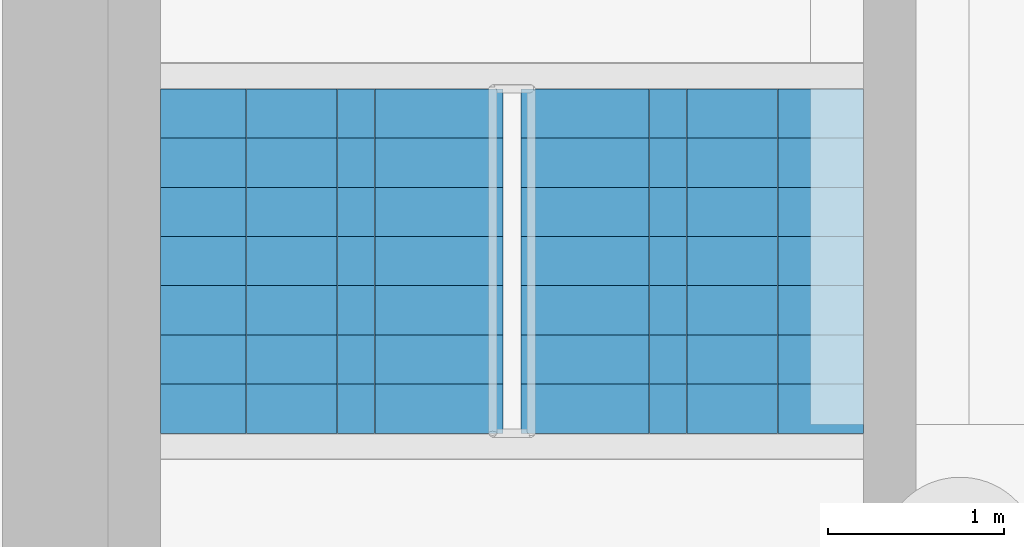
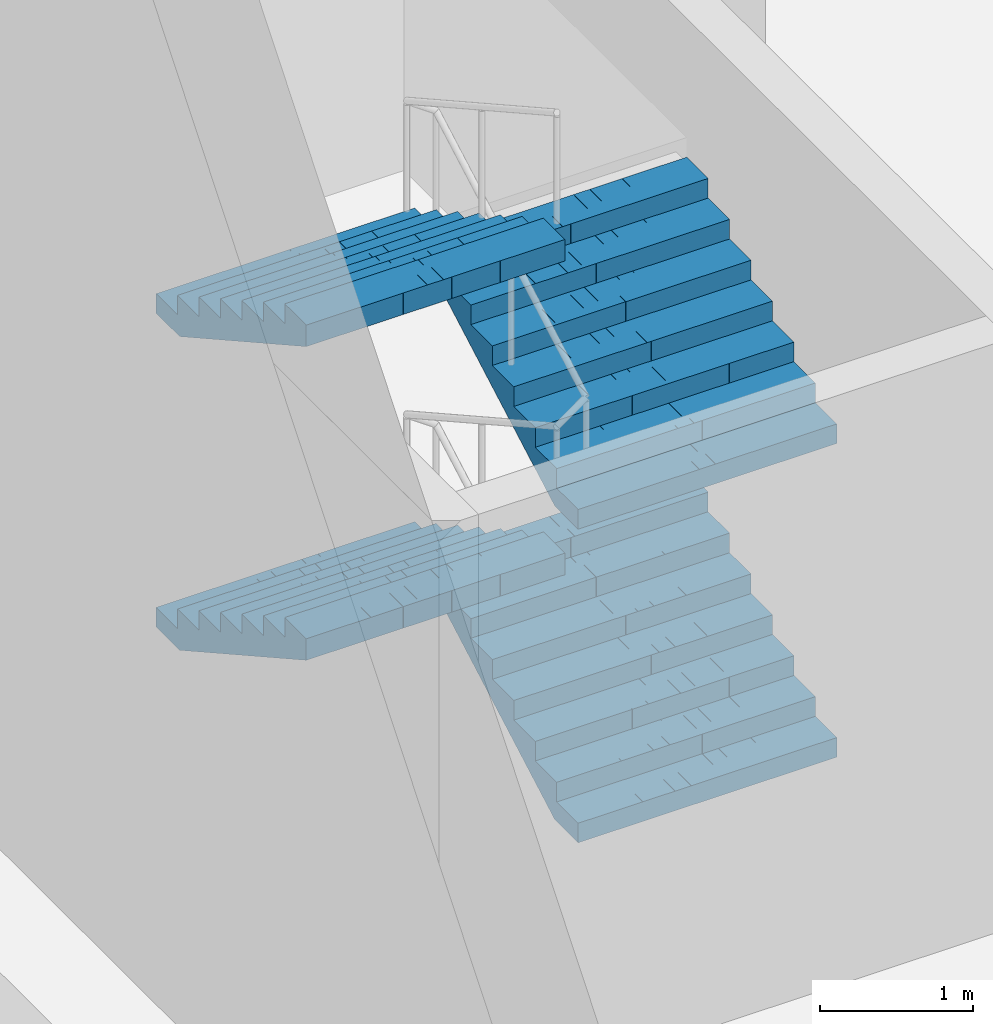
# One storey, part 16 of 31: 4 stair flights, 1 element without a shape of its own.
"""IFC4 building model written with IfcOpenShell, lengths in metres."""

from ifc_helpers import new_model, si_unit, direction, frame, origin, place, context, subcontext, project, spatial, polyline, outline, extrude, material, type_object, element, aggregate, save


model = new_model("IFC4")

# Units and contexts
model_context = context("Model", 3, precision=1e-05, world=origin(), true_north=direction((0.0, 1.0)))
body_context = subcontext(model_context, "Body", "Model", "MODEL_VIEW")
ifc_project = project(units=[si_unit("LENGTHUNIT", "METRE"), si_unit("AREAUNIT", "SQUARE_METRE"), si_unit("VOLUMEUNIT", "CUBIC_METRE"), si_unit("PLANEANGLEUNIT", "RADIAN"), si_unit("MASSUNIT", "GRAM", prefix="KILO")], contexts=[model_context])

# Site, building, storey
site_placement = place(None, origin())
site = spatial("IfcSite", under=ifc_project, at=site_placement, CompositionType="ELEMENT")
building_placement = place(site_placement, origin())
building = spatial("IfcBuilding", under=site, at=building_placement, Name="Mizan Broadcast Tower", CompositionType="ELEMENT")
storey_placement = place(building_placement, frame((0.0, 0.0, -10.0)))
storey = spatial("IfcBuildingStorey", under=building, at=storey_placement, Name="B2", CompositionType="ELEMENT", Elevation=-10.0)

# Stair, stair flights
ifc_material_1 = material(Name="Concrete C40/50", Category="concrete")
stair_type = type_object("IfcStairType", Name="EXIT STAIR", PredefinedType="HALF_TURN_STAIR", material=ifc_material_1)
stair_placement = place(storey_placement, origin())
stair = element("IfcStair", 1, at=stair_placement, inside=storey, type_object=stair_type, Name="Stair G B2", PredefinedType="HALF_TURN_STAIR")
ifc_material_2 = material(Name="Concrete C40/50", Category="concrete")
stair_flight_type = type_object("IfcStairFlightType", Name="EXIT STAIR FLIGHT", PredefinedType="STRAIGHT", material=ifc_material_2)
stair_flight_1_placement = place(storey_placement, frame((-44.875, -39.949951171875, 0.0), z_axis=(0.0, 0.0, 1.0), x_axis=(0.0, 1.0, 0.0)))
stair_flight_1 = element("IfcStairFlight", 2, at=stair_flight_1_placement, type_object=stair_flight_type, Name="G flight 1", NumberOfRisers=8, NumberOfTreads=7, PredefinedType="STRAIGHT", RiserHeight=0.15625, TreadLength=0.28, context=body_context, shape_type="SweptSolid", body=[
    extrude(outline(polyline([(0.0, 0.0), (0.0, 0.15625), (0.280029296875, 0.15625), (0.280029296875, 0.3125), (0.56005859375, 0.3125), (0.56005859375, 0.46875), (0.840087890625, 0.46875), (0.840087890625, 0.625), (1.1201171875, 0.625), (1.1201171875, 0.78125), (1.39990234375, 0.78125), (1.39990234375, 0.9375), (1.679931640625, 0.9375), (1.679931640625, 1.09375), (1.9599609375, 1.09375), (1.9599609375, 1.25), (1.9599609375, 0.922119140625), (0.3076171875, 0.0), (0.0, 0.0)])), frame((0.0, 0.97509765625, 0.0), z_axis=(0.0, -1.0, 0.0), x_axis=(1.0, 0.0, 0.0)), (0.0, 0.0, 1.0), 0.4873046875),
    extrude(outline(polyline([(0.0, 0.0), (0.0, 0.15625), (0.280029296875, 0.15625), (0.280029296875, 0.3125), (0.56005859375, 0.3125), (0.56005859375, 0.46875), (0.840087890625, 0.46875), (0.840087890625, 0.625), (1.1201171875, 0.625), (1.1201171875, 0.78125), (1.39990234375, 0.78125), (1.39990234375, 0.9375), (1.679931640625, 0.9375), (1.679931640625, 1.09375), (1.9599609375, 1.09375), (1.9599609375, 1.25), (1.9599609375, 0.922119140625), (0.3076171875, 0.0), (0.0, 0.0)])), frame((0.0, 0.4873046875, 0.0), z_axis=(0.0, -1.0, 0.0), x_axis=(1.0, 0.0, 0.0)), (0.0, 0.0, 1.0), 0.2431640625),
    extrude(outline(polyline([(0.0, 0.0), (0.0, 0.15625), (0.280029296875, 0.15625), (0.280029296875, 0.3125), (0.56005859375, 0.3125), (0.56005859375, 0.46875), (0.840087890625, 0.46875), (0.840087890625, 0.625), (1.1201171875, 0.625), (1.1201171875, 0.78125), (1.39990234375, 0.78125), (1.39990234375, 0.9375), (1.679931640625, 0.9375), (1.679931640625, 1.09375), (1.9599609375, 1.09375), (1.9599609375, 1.25), (1.9599609375, 0.922119140625), (0.3076171875, 0.0), (0.0, 0.0)])), frame((0.0, 0.24365234375, 0.0), z_axis=(0.0, -1.0, 0.0), x_axis=(1.0, 0.0, 0.0)), (0.0, 0.0, 1.0), 0.121337890625),
    extrude(outline(polyline([(0.0, 0.0), (0.0, 0.15625), (0.280029296875, 0.15625), (0.280029296875, 0.3125), (0.56005859375, 0.3125), (0.56005859375, 0.46875), (0.840087890625, 0.46875), (0.840087890625, 0.625), (1.1201171875, 0.625), (1.1201171875, 0.78125), (1.39990234375, 0.78125), (1.39990234375, 0.9375), (1.679931640625, 0.9375), (1.679931640625, 1.09375), (1.9599609375, 1.09375), (1.9599609375, 1.25), (1.9599609375, 0.922119140625), (0.3076171875, 0.0), (0.0, 0.0)])), frame((0.0, 0.121826171875, 0.0), z_axis=(0.0, -1.0, 0.0), x_axis=(1.0, 0.0, 0.0)), (0.0, 0.0, 1.0), 0.060546875),
    extrude(outline(polyline([(0.0, 0.0), (0.0, 0.15625), (0.280029296875, 0.15625), (0.280029296875, 0.3125), (0.56005859375, 0.3125), (0.56005859375, 0.46875), (0.840087890625, 0.46875), (0.840087890625, 0.625), (1.1201171875, 0.625), (1.1201171875, 0.78125), (1.39990234375, 0.78125), (1.39990234375, 0.9375), (1.679931640625, 0.9375), (1.679931640625, 1.09375), (1.9599609375, 1.09375), (1.9599609375, 1.25), (1.9599609375, 0.922119140625), (0.3076171875, 0.0), (0.0, 0.0)])), frame((0.0, 0.060791015625, 0.0), z_axis=(0.0, -1.0, 0.0), x_axis=(1.0, 0.0, 0.0)), (0.0, 0.0, 1.0), 0.030029296875),
    extrude(outline(polyline([(0.0, 0.0), (0.0, 0.15625), (0.280029296875, 0.15625), (0.280029296875, 0.3125), (0.56005859375, 0.3125), (0.56005859375, 0.46875), (0.840087890625, 0.46875), (0.840087890625, 0.625), (1.1201171875, 0.625), (1.1201171875, 0.78125), (1.39990234375, 0.78125), (1.39990234375, 0.9375), (1.679931640625, 0.9375), (1.679931640625, 1.09375), (1.9599609375, 1.09375), (1.9599609375, 1.25), (1.9599609375, 0.922119140625), (0.3076171875, 0.0), (0.0, 0.0)])), frame((0.0, 0.0302734375, 0.0), z_axis=(0.0, -1.0, 0.0), x_axis=(1.0, 0.0, 0.0)), (0.0, 0.0, 1.0), 0.060302734375),
    extrude(outline(polyline([(0.0, 0.0), (0.0, 0.15625), (0.280029296875, 0.15625), (0.280029296875, 0.3125), (0.56005859375, 0.3125), (0.56005859375, 0.46875), (0.840087890625, 0.46875), (0.840087890625, 0.625), (1.1201171875, 0.625), (1.1201171875, 0.78125), (1.39990234375, 0.78125), (1.39990234375, 0.9375), (1.679931640625, 0.9375), (1.679931640625, 1.09375), (1.9599609375, 1.09375), (1.9599609375, 1.25), (1.9599609375, 0.922119140625), (0.3076171875, 0.0), (0.0, 0.0)])), frame((0.0, -0.030517578125, 0.0), z_axis=(0.0, -1.0, 0.0), x_axis=(1.0, 0.0, 0.0)), (0.0, 0.0, 1.0), 0.030029296875),
    extrude(outline(polyline([(0.0, 0.0), (0.0, 0.15625), (0.280029296875, 0.15625), (0.280029296875, 0.3125), (0.56005859375, 0.3125), (0.56005859375, 0.46875), (0.840087890625, 0.46875), (0.840087890625, 0.625), (1.1201171875, 0.625), (1.1201171875, 0.78125), (1.39990234375, 0.78125), (1.39990234375, 0.9375), (1.679931640625, 0.9375), (1.679931640625, 1.09375), (1.9599609375, 1.09375), (1.9599609375, 1.25), (1.9599609375, 0.922119140625), (0.3076171875, 0.0), (0.0, 0.0)])), frame((0.0, -0.06103515625, 0.0), z_axis=(0.0, -1.0, 0.0), x_axis=(1.0, 0.0, 0.0)), (0.0, 0.0, 1.0), 0.060546875),
    extrude(outline(polyline([(0.0, 0.0), (0.0, 0.15625), (0.280029296875, 0.15625), (0.280029296875, 0.3125), (0.56005859375, 0.3125), (0.56005859375, 0.46875), (0.840087890625, 0.46875), (0.840087890625, 0.625), (1.1201171875, 0.625), (1.1201171875, 0.78125), (1.39990234375, 0.78125), (1.39990234375, 0.9375), (1.679931640625, 0.9375), (1.679931640625, 1.09375), (1.9599609375, 1.09375), (1.9599609375, 1.25), (1.9599609375, 0.922119140625), (0.3076171875, 0.0), (0.0, 0.0)])), frame((0.0, -0.1220703125, 0.0), z_axis=(0.0, -1.0, 0.0), x_axis=(1.0, 0.0, 0.0)), (0.0, 0.0, 1.0), 0.121337890625),
    extrude(outline(polyline([(0.0, 0.0), (0.0, 0.15625), (0.280029296875, 0.15625), (0.280029296875, 0.3125), (0.56005859375, 0.3125), (0.56005859375, 0.46875), (0.840087890625, 0.46875), (0.840087890625, 0.625), (1.1201171875, 0.625), (1.1201171875, 0.78125), (1.39990234375, 0.78125), (1.39990234375, 0.9375), (1.679931640625, 0.9375), (1.679931640625, 1.09375), (1.9599609375, 1.09375), (1.9599609375, 1.25), (1.9599609375, 0.922119140625), (0.3076171875, 0.0), (0.0, 0.0)])), frame((0.0, -0.243896484375, 0.0), z_axis=(0.0, -1.0, 0.0), x_axis=(1.0, 0.0, 0.0)), (0.0, 0.0, 1.0), 0.2431640625),
    extrude(outline(polyline([(0.0, 0.0), (0.0, 0.15625), (0.280029296875, 0.15625), (0.280029296875, 0.3125), (0.56005859375, 0.3125), (0.56005859375, 0.46875), (0.840087890625, 0.46875), (0.840087890625, 0.625), (1.1201171875, 0.625), (1.1201171875, 0.78125), (1.39990234375, 0.78125), (1.39990234375, 0.9375), (1.679931640625, 0.9375), (1.679931640625, 1.09375), (1.9599609375, 1.09375), (1.9599609375, 1.25), (1.9599609375, 0.922119140625), (0.3076171875, 0.0), (0.0, 0.0)])), frame((0.0, -0.487548828125, 0.0), z_axis=(0.0, -1.0, 0.0), x_axis=(1.0, 0.0, 0.0)), (0.0, 0.0, 1.0), 0.4873046875),
])
stair_flight_2_placement = place(storey_placement, frame((-46.925048828125, -37.989990234375, 1.25), z_axis=(0.0, 0.0, 1.0), x_axis=(0.0, -1.0, 0.0)))
stair_flight_2 = element("IfcStairFlight", 3, at=stair_flight_2_placement, type_object=stair_flight_type, Name="G flight 2", NumberOfRisers=8, NumberOfTreads=7, PredefinedType="STRAIGHT", RiserHeight=0.15625, TreadLength=0.28, context=body_context, shape_type="SweptSolid", body=[
    extrude(outline(polyline([(0.0, 0.0), (0.0, 0.15625), (0.280029296875, 0.15625), (0.280029296875, 0.3125), (0.56005859375, 0.3125), (0.56005859375, 0.46875), (0.840087890625, 0.46875), (0.840087890625, 0.625), (1.1201171875, 0.625), (1.1201171875, 0.78125), (1.39990234375, 0.78125), (1.39990234375, 0.9375), (1.679931640625, 0.9375), (1.679931640625, 1.09375), (1.9599609375, 1.09375), (1.9599609375, 1.25), (1.9599609375, 0.922119140625), (0.3076171875, 0.0), (0.0, 0.0)])), frame((0.0, 0.97509765625, 0.0), z_axis=(0.0, -1.0, 0.0), x_axis=(1.0, 0.0, 0.0)), (0.0, 0.0, 1.0), 0.4873046875),
    extrude(outline(polyline([(0.0, 0.0), (0.0, 0.15625), (0.280029296875, 0.15625), (0.280029296875, 0.3125), (0.56005859375, 0.3125), (0.56005859375, 0.46875), (0.840087890625, 0.46875), (0.840087890625, 0.625), (1.1201171875, 0.625), (1.1201171875, 0.78125), (1.39990234375, 0.78125), (1.39990234375, 0.9375), (1.679931640625, 0.9375), (1.679931640625, 1.09375), (1.9599609375, 1.09375), (1.9599609375, 1.25), (1.9599609375, 0.922119140625), (0.3076171875, 0.0), (0.0, 0.0)])), frame((0.0, 0.4873046875, 0.0), z_axis=(0.0, -1.0, 0.0), x_axis=(1.0, 0.0, 0.0)), (0.0, 0.0, 1.0), 0.2431640625),
    extrude(outline(polyline([(0.0, 0.0), (0.0, 0.15625), (0.280029296875, 0.15625), (0.280029296875, 0.3125), (0.56005859375, 0.3125), (0.56005859375, 0.46875), (0.840087890625, 0.46875), (0.840087890625, 0.625), (1.1201171875, 0.625), (1.1201171875, 0.78125), (1.39990234375, 0.78125), (1.39990234375, 0.9375), (1.679931640625, 0.9375), (1.679931640625, 1.09375), (1.9599609375, 1.09375), (1.9599609375, 1.25), (1.9599609375, 0.922119140625), (0.3076171875, 0.0), (0.0, 0.0)])), frame((0.0, 0.24365234375, 0.0), z_axis=(0.0, -1.0, 0.0), x_axis=(1.0, 0.0, 0.0)), (0.0, 0.0, 1.0), 0.121337890625),
    extrude(outline(polyline([(0.0, 0.0), (0.0, 0.15625), (0.280029296875, 0.15625), (0.280029296875, 0.3125), (0.56005859375, 0.3125), (0.56005859375, 0.46875), (0.840087890625, 0.46875), (0.840087890625, 0.625), (1.1201171875, 0.625), (1.1201171875, 0.78125), (1.39990234375, 0.78125), (1.39990234375, 0.9375), (1.679931640625, 0.9375), (1.679931640625, 1.09375), (1.9599609375, 1.09375), (1.9599609375, 1.25), (1.9599609375, 0.922119140625), (0.3076171875, 0.0), (0.0, 0.0)])), frame((0.0, 0.121826171875, 0.0), z_axis=(0.0, -1.0, 0.0), x_axis=(1.0, 0.0, 0.0)), (0.0, 0.0, 1.0), 0.060546875),
    extrude(outline(polyline([(0.0, 0.0), (0.0, 0.15625), (0.280029296875, 0.15625), (0.280029296875, 0.3125), (0.56005859375, 0.3125), (0.56005859375, 0.46875), (0.840087890625, 0.46875), (0.840087890625, 0.625), (1.1201171875, 0.625), (1.1201171875, 0.78125), (1.39990234375, 0.78125), (1.39990234375, 0.9375), (1.679931640625, 0.9375), (1.679931640625, 1.09375), (1.9599609375, 1.09375), (1.9599609375, 1.25), (1.9599609375, 0.922119140625), (0.3076171875, 0.0), (0.0, 0.0)])), frame((0.0, 0.060791015625, 0.0), z_axis=(0.0, -1.0, 0.0), x_axis=(1.0, 0.0, 0.0)), (0.0, 0.0, 1.0), 0.030029296875),
    extrude(outline(polyline([(0.0, 0.0), (0.0, 0.15625), (0.280029296875, 0.15625), (0.280029296875, 0.3125), (0.56005859375, 0.3125), (0.56005859375, 0.46875), (0.840087890625, 0.46875), (0.840087890625, 0.625), (1.1201171875, 0.625), (1.1201171875, 0.78125), (1.39990234375, 0.78125), (1.39990234375, 0.9375), (1.679931640625, 0.9375), (1.679931640625, 1.09375), (1.9599609375, 1.09375), (1.9599609375, 1.25), (1.9599609375, 0.922119140625), (0.3076171875, 0.0), (0.0, 0.0)])), frame((0.0, 0.0302734375, 0.0), z_axis=(0.0, -1.0, 0.0), x_axis=(1.0, 0.0, 0.0)), (0.0, 0.0, 1.0), 0.060302734375),
    extrude(outline(polyline([(0.0, 0.0), (0.0, 0.15625), (0.280029296875, 0.15625), (0.280029296875, 0.3125), (0.56005859375, 0.3125), (0.56005859375, 0.46875), (0.840087890625, 0.46875), (0.840087890625, 0.625), (1.1201171875, 0.625), (1.1201171875, 0.78125), (1.39990234375, 0.78125), (1.39990234375, 0.9375), (1.679931640625, 0.9375), (1.679931640625, 1.09375), (1.9599609375, 1.09375), (1.9599609375, 1.25), (1.9599609375, 0.922119140625), (0.3076171875, 0.0), (0.0, 0.0)])), frame((0.0, -0.030517578125, 0.0), z_axis=(0.0, -1.0, 0.0), x_axis=(1.0, 0.0, 0.0)), (0.0, 0.0, 1.0), 0.030029296875),
    extrude(outline(polyline([(0.0, 0.0), (0.0, 0.15625), (0.280029296875, 0.15625), (0.280029296875, 0.3125), (0.56005859375, 0.3125), (0.56005859375, 0.46875), (0.840087890625, 0.46875), (0.840087890625, 0.625), (1.1201171875, 0.625), (1.1201171875, 0.78125), (1.39990234375, 0.78125), (1.39990234375, 0.9375), (1.679931640625, 0.9375), (1.679931640625, 1.09375), (1.9599609375, 1.09375), (1.9599609375, 1.25), (1.9599609375, 0.922119140625), (0.3076171875, 0.0), (0.0, 0.0)])), frame((0.0, -0.06103515625, 0.0), z_axis=(0.0, -1.0, 0.0), x_axis=(1.0, 0.0, 0.0)), (0.0, 0.0, 1.0), 0.060546875),
    extrude(outline(polyline([(0.0, 0.0), (0.0, 0.15625), (0.280029296875, 0.15625), (0.280029296875, 0.3125), (0.56005859375, 0.3125), (0.56005859375, 0.46875), (0.840087890625, 0.46875), (0.840087890625, 0.625), (1.1201171875, 0.625), (1.1201171875, 0.78125), (1.39990234375, 0.78125), (1.39990234375, 0.9375), (1.679931640625, 0.9375), (1.679931640625, 1.09375), (1.9599609375, 1.09375), (1.9599609375, 1.25), (1.9599609375, 0.922119140625), (0.3076171875, 0.0), (0.0, 0.0)])), frame((0.0, -0.1220703125, 0.0), z_axis=(0.0, -1.0, 0.0), x_axis=(1.0, 0.0, 0.0)), (0.0, 0.0, 1.0), 0.121337890625),
    extrude(outline(polyline([(0.0, 0.0), (0.0, 0.15625), (0.280029296875, 0.15625), (0.280029296875, 0.3125), (0.56005859375, 0.3125), (0.56005859375, 0.46875), (0.840087890625, 0.46875), (0.840087890625, 0.625), (1.1201171875, 0.625), (1.1201171875, 0.78125), (1.39990234375, 0.78125), (1.39990234375, 0.9375), (1.679931640625, 0.9375), (1.679931640625, 1.09375), (1.9599609375, 1.09375), (1.9599609375, 1.25), (1.9599609375, 0.922119140625), (0.3076171875, 0.0), (0.0, 0.0)])), frame((0.0, -0.243896484375, 0.0), z_axis=(0.0, -1.0, 0.0), x_axis=(1.0, 0.0, 0.0)), (0.0, 0.0, 1.0), 0.2431640625),
    extrude(outline(polyline([(0.0, 0.0), (0.0, 0.15625), (0.280029296875, 0.15625), (0.280029296875, 0.3125), (0.56005859375, 0.3125), (0.56005859375, 0.46875), (0.840087890625, 0.46875), (0.840087890625, 0.625), (1.1201171875, 0.625), (1.1201171875, 0.78125), (1.39990234375, 0.78125), (1.39990234375, 0.9375), (1.679931640625, 0.9375), (1.679931640625, 1.09375), (1.9599609375, 1.09375), (1.9599609375, 1.25), (1.9599609375, 0.922119140625), (0.3076171875, 0.0), (0.0, 0.0)])), frame((0.0, -0.487548828125, 0.0), z_axis=(0.0, -1.0, 0.0), x_axis=(1.0, 0.0, 0.0)), (0.0, 0.0, 1.0), 0.4873046875),
])
stair_flight_3_placement = place(storey_placement, frame((-44.875, -39.949951171875, 2.5), z_axis=(0.0, 0.0, 1.0), x_axis=(0.0, 1.0, 0.0)))
stair_flight_3 = element("IfcStairFlight", 4, at=stair_flight_3_placement, type_object=stair_flight_type, Name="G flight 3", NumberOfRisers=8, NumberOfTreads=7, PredefinedType="STRAIGHT", RiserHeight=0.15625, TreadLength=0.28, context=body_context, shape_type="SweptSolid", body=[
    extrude(outline(polyline([(0.0, 0.0), (0.0, 0.15625), (0.280029296875, 0.15625), (0.280029296875, 0.3125), (0.56005859375, 0.3125), (0.56005859375, 0.46875), (0.840087890625, 0.46875), (0.840087890625, 0.625), (1.1201171875, 0.625), (1.1201171875, 0.78125), (1.39990234375, 0.78125), (1.39990234375, 0.9375), (1.679931640625, 0.9375), (1.679931640625, 1.09375), (1.9599609375, 1.09375), (1.9599609375, 1.25), (1.9599609375, 0.922119140625), (0.3076171875, 0.0), (0.0, 0.0)])), frame((0.0, 0.97509765625, 0.0), z_axis=(0.0, -1.0, 0.0), x_axis=(1.0, 0.0, 0.0)), (0.0, 0.0, 1.0), 0.4873046875),
    extrude(outline(polyline([(0.0, 0.0), (0.0, 0.15625), (0.280029296875, 0.15625), (0.280029296875, 0.3125), (0.56005859375, 0.3125), (0.56005859375, 0.46875), (0.840087890625, 0.46875), (0.840087890625, 0.625), (1.1201171875, 0.625), (1.1201171875, 0.78125), (1.39990234375, 0.78125), (1.39990234375, 0.9375), (1.679931640625, 0.9375), (1.679931640625, 1.09375), (1.9599609375, 1.09375), (1.9599609375, 1.25), (1.9599609375, 0.922119140625), (0.3076171875, 0.0), (0.0, 0.0)])), frame((0.0, 0.4873046875, 0.0), z_axis=(0.0, -1.0, 0.0), x_axis=(1.0, 0.0, 0.0)), (0.0, 0.0, 1.0), 0.2431640625),
    extrude(outline(polyline([(0.0, 0.0), (0.0, 0.15625), (0.280029296875, 0.15625), (0.280029296875, 0.3125), (0.56005859375, 0.3125), (0.56005859375, 0.46875), (0.840087890625, 0.46875), (0.840087890625, 0.625), (1.1201171875, 0.625), (1.1201171875, 0.78125), (1.39990234375, 0.78125), (1.39990234375, 0.9375), (1.679931640625, 0.9375), (1.679931640625, 1.09375), (1.9599609375, 1.09375), (1.9599609375, 1.25), (1.9599609375, 0.922119140625), (0.3076171875, 0.0), (0.0, 0.0)])), frame((0.0, 0.24365234375, 0.0), z_axis=(0.0, -1.0, 0.0), x_axis=(1.0, 0.0, 0.0)), (0.0, 0.0, 1.0), 0.121337890625),
    extrude(outline(polyline([(0.0, 0.0), (0.0, 0.15625), (0.280029296875, 0.15625), (0.280029296875, 0.3125), (0.56005859375, 0.3125), (0.56005859375, 0.46875), (0.840087890625, 0.46875), (0.840087890625, 0.625), (1.1201171875, 0.625), (1.1201171875, 0.78125), (1.39990234375, 0.78125), (1.39990234375, 0.9375), (1.679931640625, 0.9375), (1.679931640625, 1.09375), (1.9599609375, 1.09375), (1.9599609375, 1.25), (1.9599609375, 0.922119140625), (0.3076171875, 0.0), (0.0, 0.0)])), frame((0.0, 0.121826171875, 0.0), z_axis=(0.0, -1.0, 0.0), x_axis=(1.0, 0.0, 0.0)), (0.0, 0.0, 1.0), 0.060546875),
    extrude(outline(polyline([(0.0, 0.0), (0.0, 0.15625), (0.280029296875, 0.15625), (0.280029296875, 0.3125), (0.56005859375, 0.3125), (0.56005859375, 0.46875), (0.840087890625, 0.46875), (0.840087890625, 0.625), (1.1201171875, 0.625), (1.1201171875, 0.78125), (1.39990234375, 0.78125), (1.39990234375, 0.9375), (1.679931640625, 0.9375), (1.679931640625, 1.09375), (1.9599609375, 1.09375), (1.9599609375, 1.25), (1.9599609375, 0.922119140625), (0.3076171875, 0.0), (0.0, 0.0)])), frame((0.0, 0.060791015625, 0.0), z_axis=(0.0, -1.0, 0.0), x_axis=(1.0, 0.0, 0.0)), (0.0, 0.0, 1.0), 0.030029296875),
    extrude(outline(polyline([(0.0, 0.0), (0.0, 0.15625), (0.280029296875, 0.15625), (0.280029296875, 0.3125), (0.56005859375, 0.3125), (0.56005859375, 0.46875), (0.840087890625, 0.46875), (0.840087890625, 0.625), (1.1201171875, 0.625), (1.1201171875, 0.78125), (1.39990234375, 0.78125), (1.39990234375, 0.9375), (1.679931640625, 0.9375), (1.679931640625, 1.09375), (1.9599609375, 1.09375), (1.9599609375, 1.25), (1.9599609375, 0.922119140625), (0.3076171875, 0.0), (0.0, 0.0)])), frame((0.0, 0.0302734375, 0.0), z_axis=(0.0, -1.0, 0.0), x_axis=(1.0, 0.0, 0.0)), (0.0, 0.0, 1.0), 0.060302734375),
    extrude(outline(polyline([(0.0, 0.0), (0.0, 0.15625), (0.280029296875, 0.15625), (0.280029296875, 0.3125), (0.56005859375, 0.3125), (0.56005859375, 0.46875), (0.840087890625, 0.46875), (0.840087890625, 0.625), (1.1201171875, 0.625), (1.1201171875, 0.78125), (1.39990234375, 0.78125), (1.39990234375, 0.9375), (1.679931640625, 0.9375), (1.679931640625, 1.09375), (1.9599609375, 1.09375), (1.9599609375, 1.25), (1.9599609375, 0.922119140625), (0.3076171875, 0.0), (0.0, 0.0)])), frame((0.0, -0.030517578125, 0.0), z_axis=(0.0, -1.0, 0.0), x_axis=(1.0, 0.0, 0.0)), (0.0, 0.0, 1.0), 0.030029296875),
    extrude(outline(polyline([(0.0, 0.0), (0.0, 0.15625), (0.280029296875, 0.15625), (0.280029296875, 0.3125), (0.56005859375, 0.3125), (0.56005859375, 0.46875), (0.840087890625, 0.46875), (0.840087890625, 0.625), (1.1201171875, 0.625), (1.1201171875, 0.78125), (1.39990234375, 0.78125), (1.39990234375, 0.9375), (1.679931640625, 0.9375), (1.679931640625, 1.09375), (1.9599609375, 1.09375), (1.9599609375, 1.25), (1.9599609375, 0.922119140625), (0.3076171875, 0.0), (0.0, 0.0)])), frame((0.0, -0.06103515625, 0.0), z_axis=(0.0, -1.0, 0.0), x_axis=(1.0, 0.0, 0.0)), (0.0, 0.0, 1.0), 0.060546875),
    extrude(outline(polyline([(0.0, 0.0), (0.0, 0.15625), (0.280029296875, 0.15625), (0.280029296875, 0.3125), (0.56005859375, 0.3125), (0.56005859375, 0.46875), (0.840087890625, 0.46875), (0.840087890625, 0.625), (1.1201171875, 0.625), (1.1201171875, 0.78125), (1.39990234375, 0.78125), (1.39990234375, 0.9375), (1.679931640625, 0.9375), (1.679931640625, 1.09375), (1.9599609375, 1.09375), (1.9599609375, 1.25), (1.9599609375, 0.922119140625), (0.3076171875, 0.0), (0.0, 0.0)])), frame((0.0, -0.1220703125, 0.0), z_axis=(0.0, -1.0, 0.0), x_axis=(1.0, 0.0, 0.0)), (0.0, 0.0, 1.0), 0.121337890625),
    extrude(outline(polyline([(0.0, 0.0), (0.0, 0.15625), (0.280029296875, 0.15625), (0.280029296875, 0.3125), (0.56005859375, 0.3125), (0.56005859375, 0.46875), (0.840087890625, 0.46875), (0.840087890625, 0.625), (1.1201171875, 0.625), (1.1201171875, 0.78125), (1.39990234375, 0.78125), (1.39990234375, 0.9375), (1.679931640625, 0.9375), (1.679931640625, 1.09375), (1.9599609375, 1.09375), (1.9599609375, 1.25), (1.9599609375, 0.922119140625), (0.3076171875, 0.0), (0.0, 0.0)])), frame((0.0, -0.243896484375, 0.0), z_axis=(0.0, -1.0, 0.0), x_axis=(1.0, 0.0, 0.0)), (0.0, 0.0, 1.0), 0.2431640625),
    extrude(outline(polyline([(0.0, 0.0), (0.0, 0.15625), (0.280029296875, 0.15625), (0.280029296875, 0.3125), (0.56005859375, 0.3125), (0.56005859375, 0.46875), (0.840087890625, 0.46875), (0.840087890625, 0.625), (1.1201171875, 0.625), (1.1201171875, 0.78125), (1.39990234375, 0.78125), (1.39990234375, 0.9375), (1.679931640625, 0.9375), (1.679931640625, 1.09375), (1.9599609375, 1.09375), (1.9599609375, 1.25), (1.9599609375, 0.922119140625), (0.3076171875, 0.0), (0.0, 0.0)])), frame((0.0, -0.487548828125, 0.0), z_axis=(0.0, -1.0, 0.0), x_axis=(1.0, 0.0, 0.0)), (0.0, 0.0, 1.0), 0.4873046875),
])
stair_flight_4_placement = place(storey_placement, frame((-46.925048828125, -37.989990234375, 3.75), z_axis=(0.0, 0.0, 1.0), x_axis=(0.0, -1.0, 0.0)))
stair_flight_4 = element("IfcStairFlight", 5, at=stair_flight_4_placement, type_object=stair_flight_type, Name="G flight 4", NumberOfRisers=8, NumberOfTreads=7, PredefinedType="STRAIGHT", RiserHeight=0.15625, TreadLength=0.28, context=body_context, shape_type="SweptSolid", body=[
    extrude(outline(polyline([(0.0, 0.0), (0.0, 0.15625), (0.280029296875, 0.15625), (0.280029296875, 0.3125), (0.56005859375, 0.3125), (0.56005859375, 0.46875), (0.840087890625, 0.46875), (0.840087890625, 0.625), (1.1201171875, 0.625), (1.1201171875, 0.78125), (1.39990234375, 0.78125), (1.39990234375, 0.9375), (1.679931640625, 0.9375), (1.679931640625, 1.09375), (1.9599609375, 1.09375), (1.9599609375, 1.25), (1.9599609375, 0.922119140625), (0.3076171875, 0.0), (0.0, 0.0)])), frame((0.0, 0.97509765625, 0.0), z_axis=(0.0, -1.0, 0.0), x_axis=(1.0, 0.0, 0.0)), (0.0, 0.0, 1.0), 0.4873046875),
    extrude(outline(polyline([(0.0, 0.0), (0.0, 0.15625), (0.280029296875, 0.15625), (0.280029296875, 0.3125), (0.56005859375, 0.3125), (0.56005859375, 0.46875), (0.840087890625, 0.46875), (0.840087890625, 0.625), (1.1201171875, 0.625), (1.1201171875, 0.78125), (1.39990234375, 0.78125), (1.39990234375, 0.9375), (1.679931640625, 0.9375), (1.679931640625, 1.09375), (1.9599609375, 1.09375), (1.9599609375, 1.25), (1.9599609375, 0.922119140625), (0.3076171875, 0.0), (0.0, 0.0)])), frame((0.0, 0.4873046875, 0.0), z_axis=(0.0, -1.0, 0.0), x_axis=(1.0, 0.0, 0.0)), (0.0, 0.0, 1.0), 0.2431640625),
    extrude(outline(polyline([(0.0, 0.0), (0.0, 0.15625), (0.280029296875, 0.15625), (0.280029296875, 0.3125), (0.56005859375, 0.3125), (0.56005859375, 0.46875), (0.840087890625, 0.46875), (0.840087890625, 0.625), (1.1201171875, 0.625), (1.1201171875, 0.78125), (1.39990234375, 0.78125), (1.39990234375, 0.9375), (1.679931640625, 0.9375), (1.679931640625, 1.09375), (1.9599609375, 1.09375), (1.9599609375, 1.25), (1.9599609375, 0.922119140625), (0.3076171875, 0.0), (0.0, 0.0)])), frame((0.0, 0.24365234375, 0.0), z_axis=(0.0, -1.0, 0.0), x_axis=(1.0, 0.0, 0.0)), (0.0, 0.0, 1.0), 0.121337890625),
    extrude(outline(polyline([(0.0, 0.0), (0.0, 0.15625), (0.280029296875, 0.15625), (0.280029296875, 0.3125), (0.56005859375, 0.3125), (0.56005859375, 0.46875), (0.840087890625, 0.46875), (0.840087890625, 0.625), (1.1201171875, 0.625), (1.1201171875, 0.78125), (1.39990234375, 0.78125), (1.39990234375, 0.9375), (1.679931640625, 0.9375), (1.679931640625, 1.09375), (1.9599609375, 1.09375), (1.9599609375, 1.25), (1.9599609375, 0.922119140625), (0.3076171875, 0.0), (0.0, 0.0)])), frame((0.0, 0.121826171875, 0.0), z_axis=(0.0, -1.0, 0.0), x_axis=(1.0, 0.0, 0.0)), (0.0, 0.0, 1.0), 0.060546875),
    extrude(outline(polyline([(0.0, 0.0), (0.0, 0.15625), (0.280029296875, 0.15625), (0.280029296875, 0.3125), (0.56005859375, 0.3125), (0.56005859375, 0.46875), (0.840087890625, 0.46875), (0.840087890625, 0.625), (1.1201171875, 0.625), (1.1201171875, 0.78125), (1.39990234375, 0.78125), (1.39990234375, 0.9375), (1.679931640625, 0.9375), (1.679931640625, 1.09375), (1.9599609375, 1.09375), (1.9599609375, 1.25), (1.9599609375, 0.922119140625), (0.3076171875, 0.0), (0.0, 0.0)])), frame((0.0, 0.060791015625, 0.0), z_axis=(0.0, -1.0, 0.0), x_axis=(1.0, 0.0, 0.0)), (0.0, 0.0, 1.0), 0.030029296875),
    extrude(outline(polyline([(0.0, 0.0), (0.0, 0.15625), (0.280029296875, 0.15625), (0.280029296875, 0.3125), (0.56005859375, 0.3125), (0.56005859375, 0.46875), (0.840087890625, 0.46875), (0.840087890625, 0.625), (1.1201171875, 0.625), (1.1201171875, 0.78125), (1.39990234375, 0.78125), (1.39990234375, 0.9375), (1.679931640625, 0.9375), (1.679931640625, 1.09375), (1.9599609375, 1.09375), (1.9599609375, 1.25), (1.9599609375, 0.922119140625), (0.3076171875, 0.0), (0.0, 0.0)])), frame((0.0, 0.0302734375, 0.0), z_axis=(0.0, -1.0, 0.0), x_axis=(1.0, 0.0, 0.0)), (0.0, 0.0, 1.0), 0.060302734375),
    extrude(outline(polyline([(0.0, 0.0), (0.0, 0.15625), (0.280029296875, 0.15625), (0.280029296875, 0.3125), (0.56005859375, 0.3125), (0.56005859375, 0.46875), (0.840087890625, 0.46875), (0.840087890625, 0.625), (1.1201171875, 0.625), (1.1201171875, 0.78125), (1.39990234375, 0.78125), (1.39990234375, 0.9375), (1.679931640625, 0.9375), (1.679931640625, 1.09375), (1.9599609375, 1.09375), (1.9599609375, 1.25), (1.9599609375, 0.922119140625), (0.3076171875, 0.0), (0.0, 0.0)])), frame((0.0, -0.030517578125, 0.0), z_axis=(0.0, -1.0, 0.0), x_axis=(1.0, 0.0, 0.0)), (0.0, 0.0, 1.0), 0.030029296875),
    extrude(outline(polyline([(0.0, 0.0), (0.0, 0.15625), (0.280029296875, 0.15625), (0.280029296875, 0.3125), (0.56005859375, 0.3125), (0.56005859375, 0.46875), (0.840087890625, 0.46875), (0.840087890625, 0.625), (1.1201171875, 0.625), (1.1201171875, 0.78125), (1.39990234375, 0.78125), (1.39990234375, 0.9375), (1.679931640625, 0.9375), (1.679931640625, 1.09375), (1.9599609375, 1.09375), (1.9599609375, 1.25), (1.9599609375, 0.922119140625), (0.3076171875, 0.0), (0.0, 0.0)])), frame((0.0, -0.06103515625, 0.0), z_axis=(0.0, -1.0, 0.0), x_axis=(1.0, 0.0, 0.0)), (0.0, 0.0, 1.0), 0.060546875),
    extrude(outline(polyline([(0.0, 0.0), (0.0, 0.15625), (0.280029296875, 0.15625), (0.280029296875, 0.3125), (0.56005859375, 0.3125), (0.56005859375, 0.46875), (0.840087890625, 0.46875), (0.840087890625, 0.625), (1.1201171875, 0.625), (1.1201171875, 0.78125), (1.39990234375, 0.78125), (1.39990234375, 0.9375), (1.679931640625, 0.9375), (1.679931640625, 1.09375), (1.9599609375, 1.09375), (1.9599609375, 1.25), (1.9599609375, 0.922119140625), (0.3076171875, 0.0), (0.0, 0.0)])), frame((0.0, -0.1220703125, 0.0), z_axis=(0.0, -1.0, 0.0), x_axis=(1.0, 0.0, 0.0)), (0.0, 0.0, 1.0), 0.121337890625),
    extrude(outline(polyline([(0.0, 0.0), (0.0, 0.15625), (0.280029296875, 0.15625), (0.280029296875, 0.3125), (0.56005859375, 0.3125), (0.56005859375, 0.46875), (0.840087890625, 0.46875), (0.840087890625, 0.625), (1.1201171875, 0.625), (1.1201171875, 0.78125), (1.39990234375, 0.78125), (1.39990234375, 0.9375), (1.679931640625, 0.9375), (1.679931640625, 1.09375), (1.9599609375, 1.09375), (1.9599609375, 1.25), (1.9599609375, 0.922119140625), (0.3076171875, 0.0), (0.0, 0.0)])), frame((0.0, -0.243896484375, 0.0), z_axis=(0.0, -1.0, 0.0), x_axis=(1.0, 0.0, 0.0)), (0.0, 0.0, 1.0), 0.2431640625),
    extrude(outline(polyline([(0.0, 0.0), (0.0, 0.15625), (0.280029296875, 0.15625), (0.280029296875, 0.3125), (0.56005859375, 0.3125), (0.56005859375, 0.46875), (0.840087890625, 0.46875), (0.840087890625, 0.625), (1.1201171875, 0.625), (1.1201171875, 0.78125), (1.39990234375, 0.78125), (1.39990234375, 0.9375), (1.679931640625, 0.9375), (1.679931640625, 1.09375), (1.9599609375, 1.09375), (1.9599609375, 1.25), (1.9599609375, 0.922119140625), (0.3076171875, 0.0), (0.0, 0.0)])), frame((0.0, -0.487548828125, 0.0), z_axis=(0.0, -1.0, 0.0), x_axis=(1.0, 0.0, 0.0)), (0.0, 0.0, 1.0), 0.4873046875),
])
aggregate(stair, [stair_flight_1, stair_flight_2, stair_flight_3, stair_flight_4])

save(model, "model.ifc")
